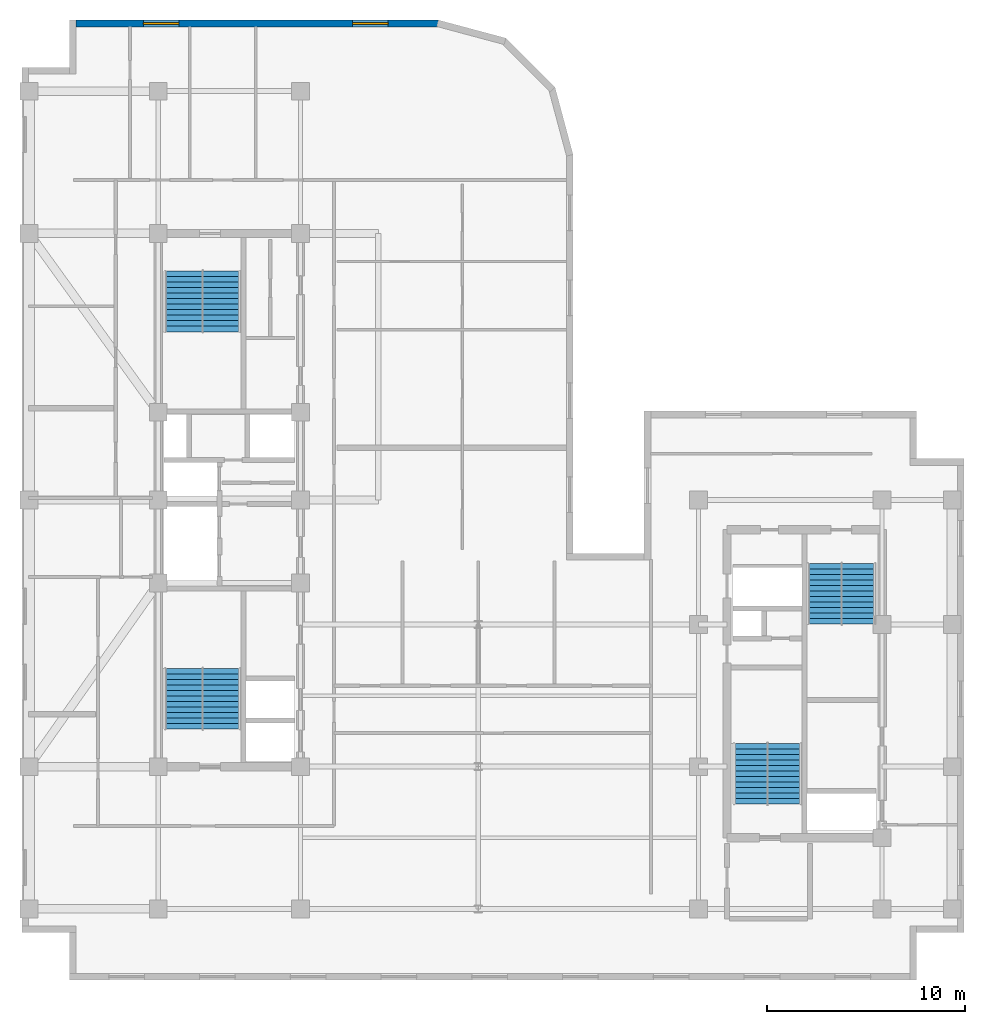
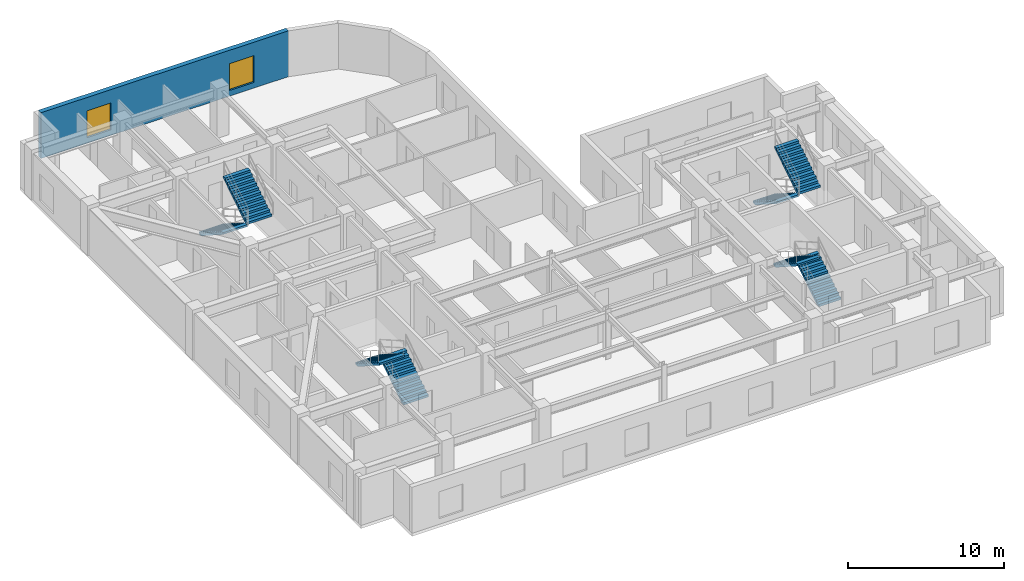
# One storey, part 7 of 10: 8 stair flights, 2 windows, 1 wall, 2 openings, 4 elements without a shape of their own.
"""IFC4 building model written with IfcOpenShell, lengths in metres."""

from ifc_helpers import new_model, entity, si_unit, converted_unit, direction, frame, origin_with_axes, origin_2d_with_axis, place, context, subcontext, project, spatial, polyline, rectangle, outline, extrude, material, layer, layer_set, type_object, element, fill, aggregate, save


model = new_model("IFC4")

# Units and contexts
model_context = context("Model", 3, precision=1e-05, world=origin_with_axes(), true_north=direction((0.0, 1.0)))
body_context = subcontext(model_context, "Body", "Model", "MODEL_VIEW")
ifc_project = project(units=[si_unit("LENGTHUNIT", "METRE"), si_unit("AREAUNIT", "SQUARE_METRE"), si_unit("VOLUMEUNIT", "CUBIC_METRE"), converted_unit("PLANEANGLEUNIT", "DEGREE", entity("IfcPlaneAngleMeasure", 0.017453292519943295), si_unit("PLANEANGLEUNIT", "RADIAN"), dimensions=[0, 0, 0, 0, 0, 0, 0]), si_unit("MASSUNIT", "GRAM", prefix="KILO"), si_unit("THERMODYNAMICTEMPERATUREUNIT", "KELVIN")], contexts=[model_context])

# Site, building, storey
site_placement = place(None, origin_with_axes())
site = spatial("IfcSite", under=ifc_project, at=site_placement, CompositionType="ELEMENT")
building_placement = place(site_placement, origin_with_axes())
building = spatial("IfcBuilding", under=site, at=building_placement, Name="Varnlund Millrace Tower", CompositionType="ELEMENT")
storey_placement = place(building_placement, frame((0.0, 0.0, 244.2), z_axis=(0.0, 0.0, 1.0), x_axis=(1.0, 0.0, 0.0)))
storey = spatial("IfcBuildingStorey", under=building, at=storey_placement, Name="L60", CompositionType="ELEMENT", Elevation=244.2)

# Wall, openings, windows
ifc_material_1 = material(Name="Precast concrete C50/60", Category="concrete")
ifc_layer = layer(ifc_material_1, 0.34, Name="Precast concrete C50/60")
ifc_layer_set = layer_set([ifc_layer], Name="Precast concrete C50/60")
wall_type = type_object("IfcWallType", Name="Type-ExtWall-Precast-Upper-340", PredefinedType="SOLIDWALL", material=ifc_layer_set)
wall_placement = place(storey_placement, frame((7.24, 48.43, 0.0), z_axis=(0.0, 0.0, 1.0), x_axis=(1.0, 0.0, 0.0)))
wall = element("IfcWall", 1, at=wall_placement, inside=storey, type_object=wall_type, Name="Type-ExtWall-Precast-Upper-340", PredefinedType="SOLIDWALL", context=body_context, shape_type="SweptSolid", body=[
    extrude(outline(polyline([(0.0, -0.17), (18.36, -0.17), (18.36, 0.17), (0.0, 0.17), (0.0, -0.17)])), origin_with_axes(), (0.0, 0.0, 1.0), 3.6),
])
opening_1_placement = place(wall_placement, frame((4.31, 0.0, 0.45), z_axis=(0.0, 0.0, 1.0), x_axis=(1.0, 0.0, 0.0)))
opening_1 = element("IfcOpeningElement", 2, at=opening_1_placement, cuts=wall, Name="Opening L60:WN-20", PredefinedType="OPENING", context=body_context, shape_type="SweptSolid", body=[
    extrude(rectangle(XDim=1.8, YDim=0.36, at=origin_2d_with_axis()), origin_with_axes(), (0.0, 0.0, 1.0), 2.1),
])
opening_2_placement = place(wall_placement, frame((14.9, 0.0, 0.45), z_axis=(0.0, 0.0, 1.0), x_axis=(1.0, 0.0, 0.0)))
opening_2 = element("IfcOpeningElement", 3, at=opening_2_placement, cuts=wall, Name="Opening L60:WN-21", PredefinedType="OPENING", context=body_context, shape_type="SweptSolid", body=[
    extrude(rectangle(XDim=1.8, YDim=0.36, at=origin_2d_with_axis()), origin_with_axes(), (0.0, 0.0, 1.0), 2.1),
])
ifc_material_2 = material(Name="Argon low-e triple glazing in thermally broken bronze frame", Category="glass")
window_type = type_object("IfcWindowType", Name="Type-Window-Punched-1800X2100", PartitioningType="SINGLE_PANEL", PredefinedType="WINDOW", material=ifc_material_2)
window_1_placement = place(wall_placement, frame((4.31, 0.0, 0.45), z_axis=(0.0, 0.0, 1.0), x_axis=(1.0, 0.0, 0.0)))
window_1 = element("IfcWindow", 4, at=window_1_placement, inside=storey, type_object=window_type, Name="Type-Window-Punched-1800X2100", OverallHeight=2.1, OverallWidth=1.8, PredefinedType="WINDOW", context=body_context, shape_type="SweptSolid", body=[
    extrude(rectangle(XDim=1.8, YDim=0.09, at=origin_2d_with_axis()), origin_with_axes(), (0.0, 0.0, 1.0), 2.1),
])
fill(opening_1, window_1)
window_2_placement = place(wall_placement, frame((14.9, 0.0, 0.45), z_axis=(0.0, 0.0, 1.0), x_axis=(1.0, 0.0, 0.0)))
window_2 = element("IfcWindow", 5, at=window_2_placement, inside=storey, type_object=window_type, Name="Type-Window-Punched-1800X2100", OverallHeight=2.1, OverallWidth=1.8, PredefinedType="WINDOW", context=body_context, shape_type="SweptSolid", body=[
    extrude(rectangle(XDim=1.8, YDim=0.09, at=origin_2d_with_axis()), origin_with_axes(), (0.0, 0.0, 1.0), 2.1),
])
fill(opening_2, window_2)

# Stair, stair flights
ifc_material_3 = material(Name="Concrete C50/60", Category="concrete")
stair_type_1 = type_object("IfcStairType", Name="Type-Stair-Dogleg-165-390", PredefinedType="HALF_TURN_STAIR", material=ifc_material_3)
stair_1_placement = place(storey_placement, origin_with_axes())
stair_1 = element("IfcStair", 6, at=stair_1_placement, inside=storey, type_object=stair_type_1, Name="Type-Stair-Dogleg-165-390", PredefinedType="HALF_TURN_STAIR")
stair_flight_type_1 = type_object("IfcStairFlightType", Name="Type-Dogleg-Run-165-390", PredefinedType="STRAIGHT", material=ifc_material_1)
stair_flight_1_placement = place(storey_placement, frame((42.225, 8.9, 0.0), z_axis=(1.0, 0.0, 0.0), x_axis=(0.0, 1.0, 0.0)))
stair_flight_1 = element("IfcStairFlight", 7, at=stair_flight_1_placement, type_object=stair_flight_type_1, Name="ST-B1 flight 1", NumberOfRisers=11, NumberOfTreads=11, PredefinedType="STRAIGHT", RiserHeight=0.177273, TreadLength=0.28, context=body_context, shape_type="SweptSolid", body=[
    extrude(outline(polyline([(0.0, 0.0), (0.0, 0.177273), (0.28, 0.177273), (0.28, 0.354545), (0.56, 0.354545), (0.56, 0.531818), (0.84, 0.531818), (0.84, 0.709091), (1.12, 0.709091), (1.12, 0.886364), (1.4, 0.886364), (1.4, 1.063636), (1.68, 1.063636), (1.68, 1.240909), (1.96, 1.240909), (1.96, 1.418182), (2.24, 1.418182), (2.24, 1.595454), (2.52, 1.595454), (2.52, 1.772727), (2.8, 1.772727), (2.8, 1.95), (3.08, 1.95), (3.08, 1.8), (0.28, 0.0), (0.0, 0.0)])), origin_with_axes(), (0.0, 0.0, 1.0), 1.65),
])
stair_flight_2_placement = place(storey_placement, frame((42.275, 11.98, 1.95), z_axis=(-1.0, 0.0, 0.0), x_axis=(0.0, -1.0, 0.0)))
stair_flight_2 = element("IfcStairFlight", 8, at=stair_flight_2_placement, type_object=stair_flight_type_1, Name="ST-B1 flight 2", NumberOfRisers=11, NumberOfTreads=11, PredefinedType="STRAIGHT", RiserHeight=0.177273, TreadLength=0.28, context=body_context, shape_type="SweptSolid", body=[
    extrude(outline(polyline([(0.0, 0.0), (0.0, 0.177273), (0.28, 0.177273), (0.28, 0.354545), (0.56, 0.354545), (0.56, 0.531818), (0.84, 0.531818), (0.84, 0.709091), (1.12, 0.709091), (1.12, 0.886364), (1.4, 0.886364), (1.4, 1.063636), (1.68, 1.063636), (1.68, 1.240909), (1.96, 1.240909), (1.96, 1.418182), (2.24, 1.418182), (2.24, 1.595454), (2.52, 1.595454), (2.52, 1.772727), (2.8, 1.772727), (2.8, 1.95), (3.08, 1.95), (3.08, 1.8), (0.28, 0.0), (0.0, 0.0)])), origin_with_axes(), (0.0, 0.0, 1.0), 1.65),
])
aggregate(stair_1, [stair_flight_1, stair_flight_2])

stair_2_placement = place(storey_placement, origin_with_axes())
stair_2 = element("IfcStair", 9, at=stair_2_placement, inside=storey, type_object=stair_type_1, Name="Type-Stair-Dogleg-165-390", PredefinedType="HALF_TURN_STAIR")
stair_flight_3_placement = place(storey_placement, frame((46.025, 21.1, 0.0), z_axis=(-1.0, 0.0, 0.0), x_axis=(0.0, -1.0, 0.0)))
stair_flight_3 = element("IfcStairFlight", 10, at=stair_flight_3_placement, type_object=stair_flight_type_1, Name="ST-B2 flight 1", NumberOfRisers=11, NumberOfTreads=11, PredefinedType="STRAIGHT", RiserHeight=0.177273, TreadLength=0.28, context=body_context, shape_type="SweptSolid", body=[
    extrude(outline(polyline([(0.0, 0.0), (0.0, 0.177273), (0.28, 0.177273), (0.28, 0.354545), (0.56, 0.354545), (0.56, 0.531818), (0.84, 0.531818), (0.84, 0.709091), (1.12, 0.709091), (1.12, 0.886364), (1.4, 0.886364), (1.4, 1.063636), (1.68, 1.063636), (1.68, 1.240909), (1.96, 1.240909), (1.96, 1.418182), (2.24, 1.418182), (2.24, 1.595454), (2.52, 1.595454), (2.52, 1.772727), (2.8, 1.772727), (2.8, 1.95), (3.08, 1.95), (3.08, 1.8), (0.28, 0.0), (0.0, 0.0)])), origin_with_axes(), (0.0, 0.0, 1.0), 1.65),
])
stair_flight_4_placement = place(storey_placement, frame((45.975, 18.02, 1.95), z_axis=(1.0, 0.0, 0.0), x_axis=(0.0, 1.0, 0.0)))
stair_flight_4 = element("IfcStairFlight", 11, at=stair_flight_4_placement, type_object=stair_flight_type_1, Name="ST-B2 flight 2", NumberOfRisers=11, NumberOfTreads=11, PredefinedType="STRAIGHT", RiserHeight=0.177273, TreadLength=0.28, context=body_context, shape_type="SweptSolid", body=[
    extrude(outline(polyline([(0.0, 0.0), (0.0, 0.177273), (0.28, 0.177273), (0.28, 0.354545), (0.56, 0.354545), (0.56, 0.531818), (0.84, 0.531818), (0.84, 0.709091), (1.12, 0.709091), (1.12, 0.886364), (1.4, 0.886364), (1.4, 1.063636), (1.68, 1.063636), (1.68, 1.240909), (1.96, 1.240909), (1.96, 1.418182), (2.24, 1.418182), (2.24, 1.595454), (2.52, 1.595454), (2.52, 1.772727), (2.8, 1.772727), (2.8, 1.95), (3.08, 1.95), (3.08, 1.8), (0.28, 0.0), (0.0, 0.0)])), origin_with_axes(), (0.0, 0.0, 1.0), 1.65),
])
aggregate(stair_2, [stair_flight_3, stair_flight_4])

stair_type_2 = type_object("IfcStairType", Name="Type-Stair-Dogleg-185-390", PredefinedType="HALF_TURN_STAIR", material=ifc_material_3)
stair_3_placement = place(storey_placement, origin_with_axes())
stair_3 = element("IfcStair", 12, at=stair_3_placement, inside=storey, type_object=stair_type_2, Name="Type-Stair-Dogleg-185-390", PredefinedType="HALF_TURN_STAIR")
stair_flight_type_2 = type_object("IfcStairFlightType", Name="Type-Dogleg-Run-185-390", PredefinedType="STRAIGHT", material=ifc_material_1)
stair_flight_5_placement = place(storey_placement, frame((13.625, 12.7, 0.0), z_axis=(1.0, 0.0, 0.0), x_axis=(0.0, 1.0, 0.0)))
stair_flight_5 = element("IfcStairFlight", 13, at=stair_flight_5_placement, type_object=stair_flight_type_2, Name="ST-A1 flight 1", NumberOfRisers=11, NumberOfTreads=11, PredefinedType="STRAIGHT", RiserHeight=0.177273, TreadLength=0.28, context=body_context, shape_type="SweptSolid", body=[
    extrude(outline(polyline([(0.0, 0.0), (0.0, 0.177273), (0.28, 0.177273), (0.28, 0.354545), (0.56, 0.354545), (0.56, 0.531818), (0.84, 0.531818), (0.84, 0.709091), (1.12, 0.709091), (1.12, 0.886364), (1.4, 0.886364), (1.4, 1.063636), (1.68, 1.063636), (1.68, 1.240909), (1.96, 1.240909), (1.96, 1.418182), (2.24, 1.418182), (2.24, 1.595454), (2.52, 1.595454), (2.52, 1.772727), (2.8, 1.772727), (2.8, 1.95), (3.08, 1.95), (3.08, 1.8), (0.28, 0.0), (0.0, 0.0)])), origin_with_axes(), (0.0, 0.0, 1.0), 1.85),
])
stair_flight_6_placement = place(storey_placement, frame((13.675, 15.78, 1.95), z_axis=(-1.0, 0.0, 0.0), x_axis=(0.0, -1.0, 0.0)))
stair_flight_6 = element("IfcStairFlight", 14, at=stair_flight_6_placement, type_object=stair_flight_type_2, Name="ST-A1 flight 2", NumberOfRisers=11, NumberOfTreads=11, PredefinedType="STRAIGHT", RiserHeight=0.177273, TreadLength=0.28, context=body_context, shape_type="SweptSolid", body=[
    extrude(outline(polyline([(0.0, 0.0), (0.0, 0.177273), (0.28, 0.177273), (0.28, 0.354545), (0.56, 0.354545), (0.56, 0.531818), (0.84, 0.531818), (0.84, 0.709091), (1.12, 0.709091), (1.12, 0.886364), (1.4, 0.886364), (1.4, 1.063636), (1.68, 1.063636), (1.68, 1.240909), (1.96, 1.240909), (1.96, 1.418182), (2.24, 1.418182), (2.24, 1.595454), (2.52, 1.595454), (2.52, 1.772727), (2.8, 1.772727), (2.8, 1.95), (3.08, 1.95), (3.08, 1.8), (0.28, 0.0), (0.0, 0.0)])), origin_with_axes(), (0.0, 0.0, 1.0), 1.85),
])
aggregate(stair_3, [stair_flight_5, stair_flight_6])

stair_4_placement = place(storey_placement, origin_with_axes())
stair_4 = element("IfcStair", 15, at=stair_4_placement, inside=storey, type_object=stair_type_2, Name="Type-Stair-Dogleg-185-390", PredefinedType="HALF_TURN_STAIR")
stair_flight_7_placement = place(storey_placement, frame((13.675, 35.9, 0.0), z_axis=(-1.0, 0.0, 0.0), x_axis=(0.0, -1.0, 0.0)))
stair_flight_7 = element("IfcStairFlight", 16, at=stair_flight_7_placement, type_object=stair_flight_type_2, Name="ST-A2 flight 1", NumberOfRisers=11, NumberOfTreads=11, PredefinedType="STRAIGHT", RiserHeight=0.177273, TreadLength=0.28, context=body_context, shape_type="SweptSolid", body=[
    extrude(outline(polyline([(0.0, 0.0), (0.0, 0.177273), (0.28, 0.177273), (0.28, 0.354545), (0.56, 0.354545), (0.56, 0.531818), (0.84, 0.531818), (0.84, 0.709091), (1.12, 0.709091), (1.12, 0.886364), (1.4, 0.886364), (1.4, 1.063636), (1.68, 1.063636), (1.68, 1.240909), (1.96, 1.240909), (1.96, 1.418182), (2.24, 1.418182), (2.24, 1.595454), (2.52, 1.595454), (2.52, 1.772727), (2.8, 1.772727), (2.8, 1.95), (3.08, 1.95), (3.08, 1.8), (0.28, 0.0), (0.0, 0.0)])), origin_with_axes(), (0.0, 0.0, 1.0), 1.85),
])
stair_flight_8_placement = place(storey_placement, frame((13.625, 32.82, 1.95), z_axis=(1.0, 0.0, 0.0), x_axis=(0.0, 1.0, 0.0)))
stair_flight_8 = element("IfcStairFlight", 17, at=stair_flight_8_placement, type_object=stair_flight_type_2, Name="ST-A2 flight 2", NumberOfRisers=11, NumberOfTreads=11, PredefinedType="STRAIGHT", RiserHeight=0.177273, TreadLength=0.28, context=body_context, shape_type="SweptSolid", body=[
    extrude(outline(polyline([(0.0, 0.0), (0.0, 0.177273), (0.28, 0.177273), (0.28, 0.354545), (0.56, 0.354545), (0.56, 0.531818), (0.84, 0.531818), (0.84, 0.709091), (1.12, 0.709091), (1.12, 0.886364), (1.4, 0.886364), (1.4, 1.063636), (1.68, 1.063636), (1.68, 1.240909), (1.96, 1.240909), (1.96, 1.418182), (2.24, 1.418182), (2.24, 1.595454), (2.52, 1.595454), (2.52, 1.772727), (2.8, 1.772727), (2.8, 1.95), (3.08, 1.95), (3.08, 1.8), (0.28, 0.0), (0.0, 0.0)])), origin_with_axes(), (0.0, 0.0, 1.0), 1.85),
])
aggregate(stair_4, [stair_flight_7, stair_flight_8])

save(model, "model.ifc")
